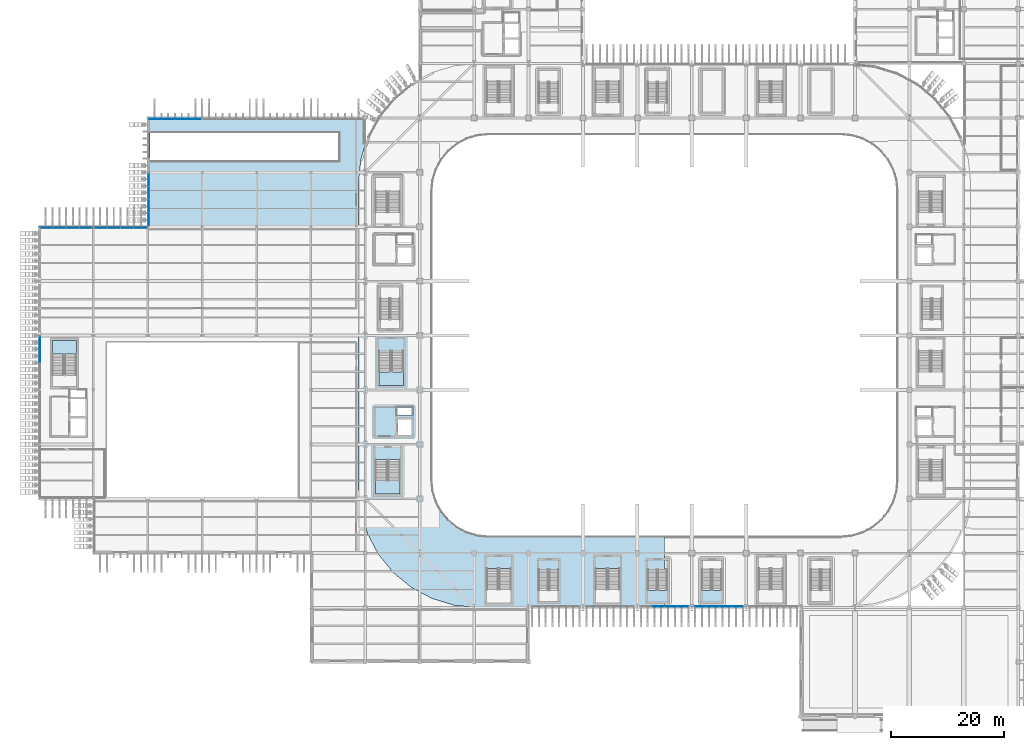
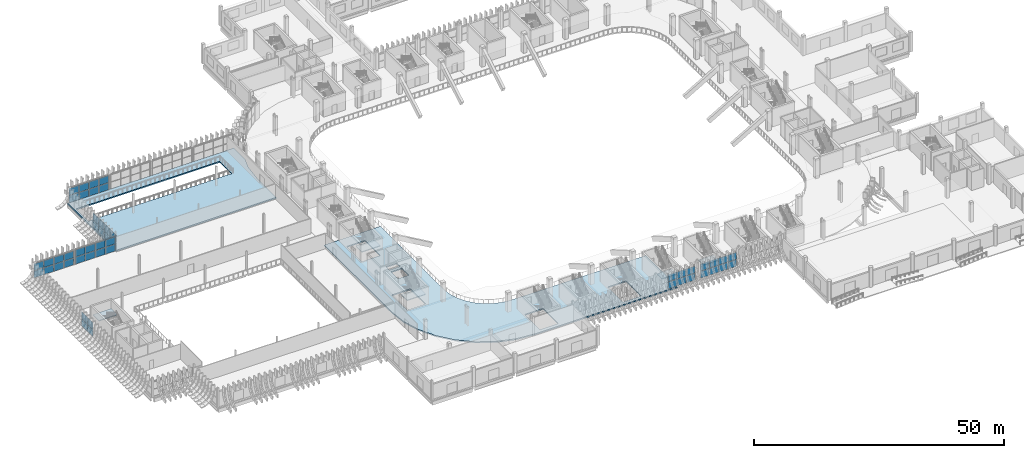
# One storey, part 41 of 100: 50 plates, 7 slabs, 12 elements without a shape of their own.
"""IFC4 building model written with IfcOpenShell, lengths in metres."""

from ifc_helpers import new_model, si_unit, direction, frame, origin, origin_2d, place, context, subcontext, project, spatial, polyline, rectangle, outline, extrude, material, layer, layer_set, type_object, element, aggregate, save


model = new_model("IFC4")

# Units and contexts
model_context = context("Model", 3, precision=1e-05, world=origin(), true_north=direction((0.0, 1.0)))
body_context = subcontext(model_context, "Body", "Model", "MODEL_VIEW")
ifc_project = project(units=[si_unit("LENGTHUNIT", "METRE"), si_unit("AREAUNIT", "SQUARE_METRE"), si_unit("VOLUMEUNIT", "CUBIC_METRE"), si_unit("PLANEANGLEUNIT", "RADIAN"), si_unit("MASSUNIT", "GRAM", prefix="KILO")], contexts=[model_context])

# Site, building, storey
site_placement = place(None, origin())
site = spatial("IfcSite", under=ifc_project, at=site_placement, CompositionType="ELEMENT")
building_placement = place(site_placement, origin())
building = spatial("IfcBuilding", under=site, at=building_placement, Name="Caelomonte Colonnade Arena", CompositionType="ELEMENT")
storey_placement = place(building_placement, origin())
storey = spatial("IfcBuildingStorey", under=building, at=storey_placement, Name="L00", CompositionType="ELEMENT", Elevation=0.0)

# Curtain wall, plates
ifc_material_1 = material(Name="Bronze anodised aluminium and low-E glazing", Category="aluminium")
ifc_layer_1 = layer(ifc_material_1, 0.179931640625)
ifc_layer_set_1 = layer_set([ifc_layer_1], Name="Bronze anodised aluminium and low-E glazing")
curtain_wall_type_1 = type_object("IfcCurtainWallType", Name="ENV-CW-CW-L00-96-36", PredefinedType="USERDEFINED", material=ifc_layer_set_1)
curtain_wall_1_placement = place(storey_placement, origin())
curtain_wall_1 = element("IfcCurtainWall", 1, at=curtain_wall_1_placement, inside=storey, type_object=curtain_wall_type_1, Name="L00 unitized curtain wall CW-L00-1104-0194", ObjectType="UNITIZED CURTAIN WALL", PredefinedType="USERDEFINED")
ifc_material_2 = material(Name="Solar-control bronze low-E double glazing", Category="glass")
ifc_layer_2 = layer(ifc_material_2, 0.028076171875)
ifc_layer_set_2 = layer_set([ifc_layer_2], Name="Solar-control bronze low-E double glazing")
plate_type = type_object("IfcPlateType", Name="ENV-CW-PAN28", PredefinedType="CURTAIN_PANEL", material=ifc_layer_set_2)
plate_1_placement = place(storey_placement, frame((109.335205078125, 19.3798828125, 0.06982421875), z_axis=(0.0, 0.0, 1.0), x_axis=(1.0, 0.0, 0.0)))
plate_1 = element("IfcPlate", 2, at=plate_1_placement, type_object=plate_type, Name="CW-L00-96-36 panel 2.1", PredefinedType="CURTAIN_PANEL", context=body_context, shape_type="SweptSolid", body=[
    extrude(rectangle(XDim=2.0595703125, YDim=0.028076171875, at=origin_2d()), origin(), (0.0, 0.0, 1.0), 1.681396484375),
])
plate_2_placement = place(storey_placement, frame((109.335205078125, 19.3798828125, 1.82177734375), z_axis=(0.0, 0.0, 1.0), x_axis=(1.0, 0.0, 0.0)))
plate_2 = element("IfcPlate", 3, at=plate_2_placement, type_object=plate_type, Name="CW-L00-96-36 panel 2.2", PredefinedType="CURTAIN_PANEL", context=body_context, shape_type="SweptSolid", body=[
    extrude(rectangle(XDim=2.0595703125, YDim=0.028076171875, at=origin_2d()), origin(), (0.0, 0.0, 1.0), 1.681396484375),
])
plate_3_placement = place(storey_placement, frame((111.46484375, 19.3798828125, 0.06982421875), z_axis=(0.0, 0.0, 1.0), x_axis=(1.0, 0.0, 0.0)))
plate_3 = element("IfcPlate", 4, at=plate_3_placement, type_object=plate_type, Name="CW-L00-96-36 panel 3.1", PredefinedType="CURTAIN_PANEL", context=body_context, shape_type="SweptSolid", body=[
    extrude(rectangle(XDim=2.0595703125, YDim=0.028076171875, at=origin_2d()), origin(), (0.0, 0.0, 1.0), 1.681396484375),
])
plate_4_placement = place(storey_placement, frame((111.46484375, 19.3798828125, 1.82177734375), z_axis=(0.0, 0.0, 1.0), x_axis=(1.0, 0.0, 0.0)))
plate_4 = element("IfcPlate", 5, at=plate_4_placement, type_object=plate_type, Name="CW-L00-96-36 panel 3.2", PredefinedType="CURTAIN_PANEL", context=body_context, shape_type="SweptSolid", body=[
    extrude(rectangle(XDim=2.0595703125, YDim=0.028076171875, at=origin_2d()), origin(), (0.0, 0.0, 1.0), 1.681396484375),
])
plate_5_placement = place(storey_placement, frame((113.576904296875, 19.3798828125, 0.06982421875), z_axis=(0.0, 0.0, 1.0), x_axis=(1.0, 0.0, 0.0)))
plate_5 = element("IfcPlate", 6, at=plate_5_placement, type_object=plate_type, Name="CW-L00-96-36 panel 4.1", PredefinedType="CURTAIN_PANEL", context=body_context, shape_type="SweptSolid", body=[
    extrude(rectangle(XDim=2.024658203125, YDim=0.028076171875, at=origin_2d()), origin(), (0.0, 0.0, 1.0), 1.681396484375),
])
plate_6_placement = place(storey_placement, frame((113.576904296875, 19.3798828125, 1.82177734375), z_axis=(0.0, 0.0, 1.0), x_axis=(1.0, 0.0, 0.0)))
plate_6 = element("IfcPlate", 7, at=plate_6_placement, type_object=plate_type, Name="CW-L00-96-36 panel 4.2", PredefinedType="CURTAIN_PANEL", context=body_context, shape_type="SweptSolid", body=[
    extrude(rectangle(XDim=2.024658203125, YDim=0.028076171875, at=origin_2d()), origin(), (0.0, 0.0, 1.0), 1.681396484375),
])
aggregate(curtain_wall_1, [plate_1, plate_2, plate_3, plate_4, plate_5, plate_6])

curtain_wall_2_placement = place(storey_placement, origin())
curtain_wall_2 = element("IfcCurtainWall", 8, at=curtain_wall_2_placement, inside=storey, type_object=curtain_wall_type_1, Name="L00 unitized curtain wall CW-L00-1200-0194", ObjectType="UNITIZED CURTAIN WALL", PredefinedType="USERDEFINED")
plate_7_placement = place(storey_placement, frame((116.822998046875, 19.3798828125, 0.06982421875), z_axis=(0.0, 0.0, 1.0), x_axis=(1.0, 0.0, 0.0)))
plate_7 = element("IfcPlate", 9, at=plate_7_placement, type_object=plate_type, Name="CW-L00-96-36 panel 1.1", PredefinedType="CURTAIN_PANEL", context=body_context, shape_type="SweptSolid", body=[
    extrude(rectangle(XDim=2.024658203125, YDim=0.028076171875, at=origin_2d()), origin(), (0.0, 0.0, 1.0), 1.681396484375),
])
plate_8_placement = place(storey_placement, frame((116.822998046875, 19.3798828125, 1.82177734375), z_axis=(0.0, 0.0, 1.0), x_axis=(1.0, 0.0, 0.0)))
plate_8 = element("IfcPlate", 10, at=plate_8_placement, type_object=plate_type, Name="CW-L00-96-36 panel 1.2", PredefinedType="CURTAIN_PANEL", context=body_context, shape_type="SweptSolid", body=[
    extrude(rectangle(XDim=2.024658203125, YDim=0.028076171875, at=origin_2d()), origin(), (0.0, 0.0, 1.0), 1.681396484375),
])
plate_9_placement = place(storey_placement, frame((118.93505859375, 19.3798828125, 0.06982421875), z_axis=(0.0, 0.0, 1.0), x_axis=(1.0, 0.0, 0.0)))
plate_9 = element("IfcPlate", 11, at=plate_9_placement, type_object=plate_type, Name="CW-L00-96-36 panel 2.1", PredefinedType="CURTAIN_PANEL", context=body_context, shape_type="SweptSolid", body=[
    extrude(rectangle(XDim=2.0595703125, YDim=0.028076171875, at=origin_2d()), origin(), (0.0, 0.0, 1.0), 1.681396484375),
])
plate_10_placement = place(storey_placement, frame((118.93505859375, 19.3798828125, 1.82177734375), z_axis=(0.0, 0.0, 1.0), x_axis=(1.0, 0.0, 0.0)))
plate_10 = element("IfcPlate", 12, at=plate_10_placement, type_object=plate_type, Name="CW-L00-96-36 panel 2.2", PredefinedType="CURTAIN_PANEL", context=body_context, shape_type="SweptSolid", body=[
    extrude(rectangle(XDim=2.0595703125, YDim=0.028076171875, at=origin_2d()), origin(), (0.0, 0.0, 1.0), 1.681396484375),
])
plate_11_placement = place(storey_placement, frame((121.06494140625, 19.3798828125, 0.06982421875), z_axis=(0.0, 0.0, 1.0), x_axis=(1.0, 0.0, 0.0)))
plate_11 = element("IfcPlate", 13, at=plate_11_placement, type_object=plate_type, Name="CW-L00-96-36 panel 3.1", PredefinedType="CURTAIN_PANEL", context=body_context, shape_type="SweptSolid", body=[
    extrude(rectangle(XDim=2.0595703125, YDim=0.028076171875, at=origin_2d()), origin(), (0.0, 0.0, 1.0), 1.681396484375),
])
plate_12_placement = place(storey_placement, frame((121.06494140625, 19.3798828125, 1.82177734375), z_axis=(0.0, 0.0, 1.0), x_axis=(1.0, 0.0, 0.0)))
plate_12 = element("IfcPlate", 14, at=plate_12_placement, type_object=plate_type, Name="CW-L00-96-36 panel 3.2", PredefinedType="CURTAIN_PANEL", context=body_context, shape_type="SweptSolid", body=[
    extrude(rectangle(XDim=2.0595703125, YDim=0.028076171875, at=origin_2d()), origin(), (0.0, 0.0, 1.0), 1.681396484375),
])
plate_13_placement = place(storey_placement, frame((123.177001953125, 19.3798828125, 0.06982421875), z_axis=(0.0, 0.0, 1.0), x_axis=(1.0, 0.0, 0.0)))
plate_13 = element("IfcPlate", 15, at=plate_13_placement, type_object=plate_type, Name="CW-L00-96-36 panel 4.1", PredefinedType="CURTAIN_PANEL", context=body_context, shape_type="SweptSolid", body=[
    extrude(rectangle(XDim=2.024658203125, YDim=0.028076171875, at=origin_2d()), origin(), (0.0, 0.0, 1.0), 1.681396484375),
])
plate_14_placement = place(storey_placement, frame((123.177001953125, 19.3798828125, 1.82177734375), z_axis=(0.0, 0.0, 1.0), x_axis=(1.0, 0.0, 0.0)))
plate_14 = element("IfcPlate", 16, at=plate_14_placement, type_object=plate_type, Name="CW-L00-96-36 panel 4.2", PredefinedType="CURTAIN_PANEL", context=body_context, shape_type="SweptSolid", body=[
    extrude(rectangle(XDim=2.024658203125, YDim=0.028076171875, at=origin_2d()), origin(), (0.0, 0.0, 1.0), 1.681396484375),
])
aggregate(curtain_wall_2, [plate_7, plate_8, plate_9, plate_10, plate_11, plate_12, plate_13, plate_14])

ifc_layer_3 = layer(ifc_material_1, 0.179931640625)
ifc_layer_set_3 = layer_set([ifc_layer_3], Name="Bronze anodised aluminium and low-E glazing")
curtain_wall_type_2 = type_object("IfcCurtainWallType", Name="ENV-CW-CW-L00-96-37", PredefinedType="USERDEFINED", material=ifc_layer_set_3)
curtain_wall_3_placement = place(storey_placement, origin())
curtain_wall_3 = element("IfcCurtainWall", 17, at=curtain_wall_3_placement, inside=storey, type_object=curtain_wall_type_2, Name="L00 unitized curtain wall CW-L00-0240-1054", ObjectType="UNITIZED CURTAIN WALL", PredefinedType="USERDEFINED")
plate_15_placement = place(storey_placement, frame((27.430419921875, 105.419921875, 0.06494140625), z_axis=(0.0, 0.0, 1.0), x_axis=(-1.0, 0.0, 0.0)))
plate_15 = element("IfcPlate", 18, at=plate_15_placement, type_object=plate_type, Name="CW-L00-96-37 panel 1.1", PredefinedType="CURTAIN_PANEL", context=body_context, shape_type="SweptSolid", body=[
    extrude(rectangle(XDim=2.2001953125, YDim=0.028076171875, at=origin_2d()), origin(), (0.0, 0.0, 1.0), 1.734619140625),
])
plate_16_placement = place(storey_placement, frame((27.430419921875, 105.419921875, 1.86474609375), z_axis=(0.0, 0.0, 1.0), x_axis=(-1.0, 0.0, 0.0)))
plate_16 = element("IfcPlate", 19, at=plate_16_placement, type_object=plate_type, Name="CW-L00-96-37 panel 1.2", PredefinedType="CURTAIN_PANEL", context=body_context, shape_type="SweptSolid", body=[
    extrude(rectangle(XDim=2.2001953125, YDim=0.028076171875, at=origin_2d()), origin(), (0.0, 0.0, 1.0), 1.734619140625),
])
plate_17_placement = place(storey_placement, frame((25.14892578125, 105.419921875, 0.06494140625), z_axis=(0.0, 0.0, 1.0), x_axis=(-1.0, 0.0, 0.0)))
plate_17 = element("IfcPlate", 20, at=plate_17_placement, type_object=plate_type, Name="CW-L00-96-37 panel 2.1", PredefinedType="CURTAIN_PANEL", context=body_context, shape_type="SweptSolid", body=[
    extrude(rectangle(XDim=2.23291015625, YDim=0.028076171875, at=origin_2d()), origin(), (0.0, 0.0, 1.0), 1.734619140625),
])
plate_18_placement = place(storey_placement, frame((25.14892578125, 105.419921875, 1.86474609375), z_axis=(0.0, 0.0, 1.0), x_axis=(-1.0, 0.0, 0.0)))
plate_18 = element("IfcPlate", 21, at=plate_18_placement, type_object=plate_type, Name="CW-L00-96-37 panel 2.2", PredefinedType="CURTAIN_PANEL", context=body_context, shape_type="SweptSolid", body=[
    extrude(rectangle(XDim=2.23291015625, YDim=0.028076171875, at=origin_2d()), origin(), (0.0, 0.0, 1.0), 1.734619140625),
])
plate_19_placement = place(storey_placement, frame((22.85107421875, 105.419921875, 0.06494140625), z_axis=(0.0, 0.0, 1.0), x_axis=(-1.0, 0.0, 0.0)))
plate_19 = element("IfcPlate", 22, at=plate_19_placement, type_object=plate_type, Name="CW-L00-96-37 panel 3.1", PredefinedType="CURTAIN_PANEL", context=body_context, shape_type="SweptSolid", body=[
    extrude(rectangle(XDim=2.23291015625, YDim=0.028076171875, at=origin_2d()), origin(), (0.0, 0.0, 1.0), 1.734619140625),
])
plate_20_placement = place(storey_placement, frame((22.85107421875, 105.419921875, 1.86474609375), z_axis=(0.0, 0.0, 1.0), x_axis=(-1.0, 0.0, 0.0)))
plate_20 = element("IfcPlate", 23, at=plate_20_placement, type_object=plate_type, Name="CW-L00-96-37 panel 3.2", PredefinedType="CURTAIN_PANEL", context=body_context, shape_type="SweptSolid", body=[
    extrude(rectangle(XDim=2.23291015625, YDim=0.028076171875, at=origin_2d()), origin(), (0.0, 0.0, 1.0), 1.734619140625),
])
plate_21_placement = place(storey_placement, frame((20.569580078125, 105.419921875, 0.06494140625), z_axis=(0.0, 0.0, 1.0), x_axis=(-1.0, 0.0, 0.0)))
plate_21 = element("IfcPlate", 24, at=plate_21_placement, type_object=plate_type, Name="CW-L00-96-37 panel 4.1", PredefinedType="CURTAIN_PANEL", context=body_context, shape_type="SweptSolid", body=[
    extrude(rectangle(XDim=2.2001953125, YDim=0.028076171875, at=origin_2d()), origin(), (0.0, 0.0, 1.0), 1.734619140625),
])
plate_22_placement = place(storey_placement, frame((20.569580078125, 105.419921875, 1.86474609375), z_axis=(0.0, 0.0, 1.0), x_axis=(-1.0, 0.0, 0.0)))
plate_22 = element("IfcPlate", 25, at=plate_22_placement, type_object=plate_type, Name="CW-L00-96-37 panel 4.2", PredefinedType="CURTAIN_PANEL", context=body_context, shape_type="SweptSolid", body=[
    extrude(rectangle(XDim=2.2001953125, YDim=0.028076171875, at=origin_2d()), origin(), (0.0, 0.0, 1.0), 1.734619140625),
])
aggregate(curtain_wall_3, [plate_15, plate_16, plate_17, plate_18, plate_19, plate_20, plate_21, plate_22])

curtain_wall_4_placement = place(storey_placement, origin())
curtain_wall_4 = element("IfcCurtainWall", 26, at=curtain_wall_4_placement, inside=storey, type_object=curtain_wall_type_2, Name="L00 unitized curtain wall CW-L00-0194-0912", ObjectType="UNITIZED CURTAIN WALL", PredefinedType="USERDEFINED")
plate_23_placement = place(storey_placement, frame((19.3798828125, 94.623291015625, 0.06494140625), z_axis=(0.0, 0.0, 1.0), x_axis=(0.0, -1.0, 0.0)))
plate_23 = element("IfcPlate", 27, at=plate_23_placement, type_object=plate_type, Name="CW-L00-96-37 panel 1.1", PredefinedType="CURTAIN_PANEL", context=body_context, shape_type="SweptSolid", body=[
    extrude(rectangle(XDim=2.214599609375, YDim=0.028076171875, at=origin_2d()), origin(), (0.0, 0.0, 1.0), 1.734619140625),
])
plate_24_placement = place(storey_placement, frame((19.3798828125, 94.623291015625, 1.86474609375), z_axis=(0.0, 0.0, 1.0), x_axis=(0.0, -1.0, 0.0)))
plate_24 = element("IfcPlate", 28, at=plate_24_placement, type_object=plate_type, Name="CW-L00-96-37 panel 1.2", PredefinedType="CURTAIN_PANEL", context=body_context, shape_type="SweptSolid", body=[
    extrude(rectangle(XDim=2.214599609375, YDim=0.028076171875, at=origin_2d()), origin(), (0.0, 0.0, 1.0), 1.734619140625),
])
plate_25_placement = place(storey_placement, frame((19.3798828125, 92.327392578125, 0.06494140625), z_axis=(0.0, 0.0, 1.0), x_axis=(0.0, -1.0, 0.0)))
plate_25 = element("IfcPlate", 29, at=plate_25_placement, type_object=plate_type, Name="CW-L00-96-37 panel 2.1", PredefinedType="CURTAIN_PANEL", context=body_context, shape_type="SweptSolid", body=[
    extrude(rectangle(XDim=2.2470703125, YDim=0.028076171875, at=origin_2d()), origin(), (0.0, 0.0, 1.0), 1.734619140625),
])
plate_26_placement = place(storey_placement, frame((19.3798828125, 92.327392578125, 1.86474609375), z_axis=(0.0, 0.0, 1.0), x_axis=(0.0, -1.0, 0.0)))
plate_26 = element("IfcPlate", 30, at=plate_26_placement, type_object=plate_type, Name="CW-L00-96-37 panel 2.2", PredefinedType="CURTAIN_PANEL", context=body_context, shape_type="SweptSolid", body=[
    extrude(rectangle(XDim=2.2470703125, YDim=0.028076171875, at=origin_2d()), origin(), (0.0, 0.0, 1.0), 1.734619140625),
])
plate_27_placement = place(storey_placement, frame((19.3798828125, 90.01513671875, 0.06494140625), z_axis=(0.0, 0.0, 1.0), x_axis=(0.0, -1.0, 0.0)))
plate_27 = element("IfcPlate", 31, at=plate_27_placement, type_object=plate_type, Name="CW-L00-96-37 panel 3.1", PredefinedType="CURTAIN_PANEL", context=body_context, shape_type="SweptSolid", body=[
    extrude(rectangle(XDim=2.2470703125, YDim=0.028076171875, at=origin_2d()), origin(), (0.0, 0.0, 1.0), 1.734619140625),
])
plate_28_placement = place(storey_placement, frame((19.3798828125, 90.01513671875, 1.86474609375), z_axis=(0.0, 0.0, 1.0), x_axis=(0.0, -1.0, 0.0)))
plate_28 = element("IfcPlate", 32, at=plate_28_placement, type_object=plate_type, Name="CW-L00-96-37 panel 3.2", PredefinedType="CURTAIN_PANEL", context=body_context, shape_type="SweptSolid", body=[
    extrude(rectangle(XDim=2.2470703125, YDim=0.028076171875, at=origin_2d()), origin(), (0.0, 0.0, 1.0), 1.734619140625),
])
plate_29_placement = place(storey_placement, frame((19.3798828125, 87.71923828125, 0.06494140625), z_axis=(0.0, 0.0, 1.0), x_axis=(0.0, -1.0, 0.0)))
plate_29 = element("IfcPlate", 33, at=plate_29_placement, type_object=plate_type, Name="CW-L00-96-37 panel 4.1", PredefinedType="CURTAIN_PANEL", context=body_context, shape_type="SweptSolid", body=[
    extrude(rectangle(XDim=2.214599609375, YDim=0.028076171875, at=origin_2d()), origin(), (0.0, 0.0, 1.0), 1.734619140625),
])
plate_30_placement = place(storey_placement, frame((19.3798828125, 87.71923828125, 1.86474609375), z_axis=(0.0, 0.0, 1.0), x_axis=(0.0, -1.0, 0.0)))
plate_30 = element("IfcPlate", 34, at=plate_30_placement, type_object=plate_type, Name="CW-L00-96-37 panel 4.2", PredefinedType="CURTAIN_PANEL", context=body_context, shape_type="SweptSolid", body=[
    extrude(rectangle(XDim=2.214599609375, YDim=0.028076171875, at=origin_2d()), origin(), (0.0, 0.0, 1.0), 1.734619140625),
])
aggregate(curtain_wall_4, [plate_23, plate_24, plate_25, plate_26, plate_27, plate_28, plate_29, plate_30])

curtain_wall_5_placement = place(storey_placement, origin())
curtain_wall_5 = element("IfcCurtainWall", 35, at=curtain_wall_5_placement, inside=storey, type_object=curtain_wall_type_2, Name="L00 unitized curtain wall CW-L00-0144-0862", ObjectType="UNITIZED CURTAIN WALL", PredefinedType="USERDEFINED")
plate_31_placement = place(storey_placement, frame((17.87353515625, 86.219970703125, 0.06494140625), z_axis=(0.0, 0.0, 1.0), x_axis=(-1.0, 0.0, 0.0)))
plate_31 = element("IfcPlate", 36, at=plate_31_placement, type_object=plate_type, Name="CW-L00-96-37 panel 1.1", PredefinedType="CURTAIN_PANEL", context=body_context, shape_type="SweptSolid", body=[
    extrude(rectangle(XDim=2.22900390625, YDim=0.028076171875, at=origin_2d()), origin(), (0.0, 0.0, 1.0), 1.734619140625),
])
plate_32_placement = place(storey_placement, frame((17.87353515625, 86.219970703125, 1.86474609375), z_axis=(0.0, 0.0, 1.0), x_axis=(-1.0, 0.0, 0.0)))
plate_32 = element("IfcPlate", 37, at=plate_32_placement, type_object=plate_type, Name="CW-L00-96-37 panel 1.2", PredefinedType="CURTAIN_PANEL", context=body_context, shape_type="SweptSolid", body=[
    extrude(rectangle(XDim=2.22900390625, YDim=0.028076171875, at=origin_2d()), origin(), (0.0, 0.0, 1.0), 1.734619140625),
])
plate_33_placement = place(storey_placement, frame((15.563232421875, 86.219970703125, 0.06494140625), z_axis=(0.0, 0.0, 1.0), x_axis=(-1.0, 0.0, 0.0)))
plate_33 = element("IfcPlate", 38, at=plate_33_placement, type_object=plate_type, Name="CW-L00-96-37 panel 2.1", PredefinedType="CURTAIN_PANEL", context=body_context, shape_type="SweptSolid", body=[
    extrude(rectangle(XDim=2.261474609375, YDim=0.028076171875, at=origin_2d()), origin(), (0.0, 0.0, 1.0), 1.734619140625),
])
plate_34_placement = place(storey_placement, frame((15.563232421875, 86.219970703125, 1.86474609375), z_axis=(0.0, 0.0, 1.0), x_axis=(-1.0, 0.0, 0.0)))
plate_34 = element("IfcPlate", 39, at=plate_34_placement, type_object=plate_type, Name="CW-L00-96-37 panel 2.2", PredefinedType="CURTAIN_PANEL", context=body_context, shape_type="SweptSolid", body=[
    extrude(rectangle(XDim=2.261474609375, YDim=0.028076171875, at=origin_2d()), origin(), (0.0, 0.0, 1.0), 1.734619140625),
])
plate_35_placement = place(storey_placement, frame((13.23681640625, 86.219970703125, 0.06494140625), z_axis=(0.0, 0.0, 1.0), x_axis=(-1.0, 0.0, 0.0)))
plate_35 = element("IfcPlate", 40, at=plate_35_placement, type_object=plate_type, Name="CW-L00-96-37 panel 3.1", PredefinedType="CURTAIN_PANEL", context=body_context, shape_type="SweptSolid", body=[
    extrude(rectangle(XDim=2.261474609375, YDim=0.028076171875, at=origin_2d()), origin(), (0.0, 0.0, 1.0), 1.734619140625),
])
plate_36_placement = place(storey_placement, frame((13.23681640625, 86.219970703125, 1.86474609375), z_axis=(0.0, 0.0, 1.0), x_axis=(-1.0, 0.0, 0.0)))
plate_36 = element("IfcPlate", 41, at=plate_36_placement, type_object=plate_type, Name="CW-L00-96-37 panel 3.2", PredefinedType="CURTAIN_PANEL", context=body_context, shape_type="SweptSolid", body=[
    extrude(rectangle(XDim=2.261474609375, YDim=0.028076171875, at=origin_2d()), origin(), (0.0, 0.0, 1.0), 1.734619140625),
])
plate_37_placement = place(storey_placement, frame((10.926513671875, 86.219970703125, 0.06494140625), z_axis=(0.0, 0.0, 1.0), x_axis=(-1.0, 0.0, 0.0)))
plate_37 = element("IfcPlate", 42, at=plate_37_placement, type_object=plate_type, Name="CW-L00-96-37 panel 4.1", PredefinedType="CURTAIN_PANEL", context=body_context, shape_type="SweptSolid", body=[
    extrude(rectangle(XDim=2.22900390625, YDim=0.028076171875, at=origin_2d()), origin(), (0.0, 0.0, 1.0), 1.734619140625),
])
plate_38_placement = place(storey_placement, frame((10.926513671875, 86.219970703125, 1.86474609375), z_axis=(0.0, 0.0, 1.0), x_axis=(-1.0, 0.0, 0.0)))
plate_38 = element("IfcPlate", 43, at=plate_38_placement, type_object=plate_type, Name="CW-L00-96-37 panel 4.2", PredefinedType="CURTAIN_PANEL", context=body_context, shape_type="SweptSolid", body=[
    extrude(rectangle(XDim=2.22900390625, YDim=0.028076171875, at=origin_2d()), origin(), (0.0, 0.0, 1.0), 1.734619140625),
])
aggregate(curtain_wall_5, [plate_31, plate_32, plate_33, plate_34, plate_35, plate_36, plate_37, plate_38])

curtain_wall_6_placement = place(storey_placement, origin())
curtain_wall_6 = element("IfcCurtainWall", 44, at=curtain_wall_6_placement, inside=storey, type_object=curtain_wall_type_1, Name="L00 unitized curtain wall CW-L00-0048-0862", ObjectType="UNITIZED CURTAIN WALL", PredefinedType="USERDEFINED")
plate_39_placement = place(storey_placement, frame((8.2734375, 86.219970703125, 0.06494140625), z_axis=(0.0, 0.0, 1.0), x_axis=(-1.0, 0.0, 0.0)))
plate_39 = element("IfcPlate", 45, at=plate_39_placement, type_object=plate_type, Name="CW-L00-96-36 panel 1.1", PredefinedType="CURTAIN_PANEL", context=body_context, shape_type="SweptSolid", body=[
    extrude(rectangle(XDim=2.22900390625, YDim=0.028076171875, at=origin_2d()), origin(), (0.0, 0.0, 1.0), 1.68896484375),
])
plate_40_placement = place(storey_placement, frame((8.2734375, 86.219970703125, 1.819091796875), z_axis=(0.0, 0.0, 1.0), x_axis=(-1.0, 0.0, 0.0)))
plate_40 = element("IfcPlate", 46, at=plate_40_placement, type_object=plate_type, Name="CW-L00-96-36 panel 1.2", PredefinedType="CURTAIN_PANEL", context=body_context, shape_type="SweptSolid", body=[
    extrude(rectangle(XDim=2.22900390625, YDim=0.028076171875, at=origin_2d()), origin(), (0.0, 0.0, 1.0), 1.68896484375),
])
plate_41_placement = place(storey_placement, frame((5.963134765625, 86.219970703125, 0.06494140625), z_axis=(0.0, 0.0, 1.0), x_axis=(-1.0, 0.0, 0.0)))
plate_41 = element("IfcPlate", 47, at=plate_41_placement, type_object=plate_type, Name="CW-L00-96-36 panel 2.1", PredefinedType="CURTAIN_PANEL", context=body_context, shape_type="SweptSolid", body=[
    extrude(rectangle(XDim=2.261474609375, YDim=0.028076171875, at=origin_2d()), origin(), (0.0, 0.0, 1.0), 1.68896484375),
])
plate_42_placement = place(storey_placement, frame((5.963134765625, 86.219970703125, 1.819091796875), z_axis=(0.0, 0.0, 1.0), x_axis=(-1.0, 0.0, 0.0)))
plate_42 = element("IfcPlate", 48, at=plate_42_placement, type_object=plate_type, Name="CW-L00-96-36 panel 2.2", PredefinedType="CURTAIN_PANEL", context=body_context, shape_type="SweptSolid", body=[
    extrude(rectangle(XDim=2.261474609375, YDim=0.028076171875, at=origin_2d()), origin(), (0.0, 0.0, 1.0), 1.68896484375),
])
plate_43_placement = place(storey_placement, frame((3.63671875, 86.219970703125, 0.06494140625), z_axis=(0.0, 0.0, 1.0), x_axis=(-1.0, 0.0, 0.0)))
plate_43 = element("IfcPlate", 49, at=plate_43_placement, type_object=plate_type, Name="CW-L00-96-36 panel 3.1", PredefinedType="CURTAIN_PANEL", context=body_context, shape_type="SweptSolid", body=[
    extrude(rectangle(XDim=2.261474609375, YDim=0.028076171875, at=origin_2d()), origin(), (0.0, 0.0, 1.0), 1.68896484375),
])
plate_44_placement = place(storey_placement, frame((3.63671875, 86.219970703125, 1.819091796875), z_axis=(0.0, 0.0, 1.0), x_axis=(-1.0, 0.0, 0.0)))
plate_44 = element("IfcPlate", 50, at=plate_44_placement, type_object=plate_type, Name="CW-L00-96-36 panel 3.2", PredefinedType="CURTAIN_PANEL", context=body_context, shape_type="SweptSolid", body=[
    extrude(rectangle(XDim=2.261474609375, YDim=0.028076171875, at=origin_2d()), origin(), (0.0, 0.0, 1.0), 1.68896484375),
])
plate_45_placement = place(storey_placement, frame((1.326416015625, 86.219970703125, 0.06494140625), z_axis=(0.0, 0.0, 1.0), x_axis=(-1.0, 0.0, 0.0)))
plate_45 = element("IfcPlate", 51, at=plate_45_placement, type_object=plate_type, Name="CW-L00-96-36 panel 4.1", PredefinedType="CURTAIN_PANEL", context=body_context, shape_type="SweptSolid", body=[
    extrude(rectangle(XDim=2.22900390625, YDim=0.028076171875, at=origin_2d()), origin(), (0.0, 0.0, 1.0), 1.68896484375),
])
plate_46_placement = place(storey_placement, frame((1.326416015625, 86.219970703125, 1.819091796875), z_axis=(0.0, 0.0, 1.0), x_axis=(-1.0, 0.0, 0.0)))
plate_46 = element("IfcPlate", 52, at=plate_46_placement, type_object=plate_type, Name="CW-L00-96-36 panel 4.2", PredefinedType="CURTAIN_PANEL", context=body_context, shape_type="SweptSolid", body=[
    extrude(rectangle(XDim=2.22900390625, YDim=0.028076171875, at=origin_2d()), origin(), (0.0, 0.0, 1.0), 1.68896484375),
])
aggregate(curtain_wall_6, [plate_39, plate_40, plate_41, plate_42, plate_43, plate_44, plate_45, plate_46])

curtain_wall_7_placement = place(storey_placement, origin())
curtain_wall_7 = element("IfcCurtainWall", 53, at=curtain_wall_7_placement, inside=storey, type_object=curtain_wall_type_1, Name="L00 unitized curtain wall CW-L00-0002-0624", ObjectType="UNITIZED CURTAIN WALL", PredefinedType="USERDEFINED")
plate_47_placement = place(storey_placement, frame((0.179931640625, 65.8583984375, 0.06494140625), z_axis=(0.0, 0.0, 1.0), x_axis=(0.0, -1.0, 0.0)))
plate_47 = element("IfcPlate", 54, at=plate_47_placement, type_object=plate_type, Name="CW-L00-96-36 panel 1.1", PredefinedType="CURTAIN_PANEL", context=body_context, shape_type="SweptSolid", body=[
    extrude(rectangle(XDim=2.208251953125, YDim=0.028076171875, at=origin_2d()), origin(), (0.0, 0.0, 1.0), 1.68896484375),
])
plate_48_placement = place(storey_placement, frame((0.179931640625, 65.8583984375, 1.819091796875), z_axis=(0.0, 0.0, 1.0), x_axis=(0.0, -1.0, 0.0)))
plate_48 = element("IfcPlate", 55, at=plate_48_placement, type_object=plate_type, Name="CW-L00-96-36 panel 1.2", PredefinedType="CURTAIN_PANEL", context=body_context, shape_type="SweptSolid", body=[
    extrude(rectangle(XDim=2.208251953125, YDim=0.028076171875, at=origin_2d()), origin(), (0.0, 0.0, 1.0), 1.68896484375),
])
plate_49_placement = place(storey_placement, frame((0.179931640625, 63.56884765625, 0.06494140625), z_axis=(0.0, 0.0, 1.0), x_axis=(0.0, -1.0, 0.0)))
plate_49 = element("IfcPlate", 56, at=plate_49_placement, type_object=plate_type, Name="CW-L00-96-36 panel 2.1", PredefinedType="CURTAIN_PANEL", context=body_context, shape_type="SweptSolid", body=[
    extrude(rectangle(XDim=2.24072265625, YDim=0.028076171875, at=origin_2d()), origin(), (0.0, 0.0, 1.0), 1.68896484375),
])
plate_50_placement = place(storey_placement, frame((0.179931640625, 63.56884765625, 1.819091796875), z_axis=(0.0, 0.0, 1.0), x_axis=(0.0, -1.0, 0.0)))
plate_50 = element("IfcPlate", 57, at=plate_50_placement, type_object=plate_type, Name="CW-L00-96-36 panel 2.2", PredefinedType="CURTAIN_PANEL", context=body_context, shape_type="SweptSolid", body=[
    extrude(rectangle(XDim=2.24072265625, YDim=0.028076171875, at=origin_2d()), origin(), (0.0, 0.0, 1.0), 1.68896484375),
])
aggregate(curtain_wall_7, [plate_47, plate_48, plate_49, plate_50])

# Stair, slab
ifc_material_3 = material(Name="Concrete C40/50", Category="concrete")
stair_type_1 = type_object("IfcStairType", Name="INT-ST-WING48", PredefinedType="HALF_TURN_STAIR", material=ifc_material_3)
stair_1_placement = place(storey_placement, origin())
stair_1 = element("IfcStair", 58, at=stair_1_placement, inside=storey, type_object=stair_type_1, Name="L00 Core C1 exit stair ST-01", PredefinedType="HALF_TURN_STAIR")
ifc_layer_4 = layer(ifc_material_3, 0.199951171875)
ifc_layer_set_4 = layer_set([ifc_layer_4], Name="Concrete C40/50")
slab_type_1 = type_object("IfcSlabType", Name="INT-SL-LAND20", PredefinedType="LANDING", material=ifc_layer_set_4)
slab_1_placement = place(storey_placement, frame((0.0, 0.0, 2.199951171875)))
slab_1 = element("IfcSlab", 59, at=slab_1_placement, type_object=slab_type_1, Name="ST-01 landing 1", PredefinedType="LANDING", context=body_context, shape_type="SweptSolid", body=[
    extrude(outline(polyline([(59.39990234375, 41.594970703125), (59.39990234375, 39.199951171875), (63.699951171875, 39.199951171875), (63.699951171875, 41.594970703125), (59.39990234375, 41.594970703125)])), origin(), (0.0, 0.0, 1.0), 0.199951171875),
])
aggregate(stair_1, [slab_1])

stair_2_placement = place(storey_placement, origin())
stair_2 = element("IfcStair", 60, at=stair_2_placement, inside=storey, type_object=stair_type_1, Name="L00 Core C8 exit stair ST-08", PredefinedType="HALF_TURN_STAIR")
slab_2_placement = place(storey_placement, frame((0.0, 0.0, 2.199951171875)))
slab_2 = element("IfcSlab", 61, at=slab_2_placement, type_object=slab_type_1, Name="ST-08 landing 1", PredefinedType="LANDING", context=body_context, shape_type="SweptSolid", body=[
    extrude(outline(polyline([(6.60009765625, 63.905029296875), (6.60009765625, 66.35009765625), (2.39990234375, 66.35009765625), (2.39990234375, 63.905029296875), (6.60009765625, 63.905029296875)])), origin(), (0.0, 0.0, 1.0), 0.199951171875),
])
aggregate(stair_2, [slab_2])

stair_type_2 = type_object("IfcStairType", Name="INT-ST-CORE48", PredefinedType="HALF_TURN_STAIR", material=ifc_material_3)
stair_3_placement = place(storey_placement, origin())
stair_3 = element("IfcStair", 62, at=stair_3_placement, inside=storey, type_object=stair_type_2, Name="L00 Protected exit stair ST-09", PredefinedType="HALF_TURN_STAIR")
slab_3_placement = place(storey_placement, frame((0.0, 0.0, 2.199951171875)))
slab_3 = element("IfcSlab", 63, at=slab_3_placement, type_object=slab_type_1, Name="ST-09 landing 1", PredefinedType="LANDING", context=body_context, shape_type="SweptSolid", body=[
    extrude(outline(polyline([(60.0, 60.794921875), (60.0, 58.39990234375), (64.300048828125, 58.39990234375), (64.300048828125, 60.794921875), (60.0, 60.794921875)])), origin(), (0.0, 0.0, 1.0), 0.199951171875),
])
aggregate(stair_3, [slab_3])

ifc_material_4 = material(Name="Precast concrete C40/50", Category="concrete")
stair_type_3 = type_object("IfcStairType", Name="INT-ST-VOML", PredefinedType="HALF_TURN_STAIR", material=ifc_material_4)
stair_4_placement = place(storey_placement, origin())
stair_4 = element("IfcStair", 64, at=stair_4_placement, inside=storey, type_object=stair_type_3, Name="L00 Vomitory VOM-02 aisle stair ST-V02", PredefinedType="HALF_TURN_STAIR")
slab_4_placement = place(storey_placement, frame((0.0, 0.0, 2.199951171875)))
slab_4 = element("IfcSlab", 65, at=slab_4_placement, type_object=slab_type_1, Name="ST-V02 landing 1", PredefinedType="LANDING", context=body_context, shape_type="SweptSolid", body=[
    extrude(outline(polyline([(107.39990234375, 22.2451171875), (107.39990234375, 20.199951171875), (110.89990234375, 20.199951171875), (110.89990234375, 22.2451171875), (107.39990234375, 22.2451171875)])), origin(), (0.0, 0.0, 1.0), 0.199951171875),
])
aggregate(stair_4, [slab_4])

stair_5_placement = place(storey_placement, origin())
stair_5 = element("IfcStair", 66, at=stair_5_placement, inside=storey, type_object=stair_type_3, Name="L00 Vomitory VOM-03 aisle stair ST-V03", PredefinedType="HALF_TURN_STAIR")
slab_5_placement = place(storey_placement, frame((0.0, 0.0, 2.199951171875)))
slab_5 = element("IfcSlab", 67, at=slab_5_placement, type_object=slab_type_1, Name="ST-V03 landing 1", PredefinedType="LANDING", context=body_context, shape_type="SweptSolid", body=[
    extrude(outline(polyline([(117.0, 22.2451171875), (117.0, 20.199951171875), (120.5, 20.199951171875), (120.5, 22.2451171875), (117.0, 22.2451171875)])), origin(), (0.0, 0.0, 1.0), 0.199951171875),
])
aggregate(stair_5, [slab_5])

# Slabs
ifc_layer_5 = layer(ifc_material_3, 0.300048828125)
ifc_layer_set_5 = layer_set([ifc_layer_5], Name="Concrete C40/50")
slab_type_2 = type_object("IfcSlabType", Name="STR-SL-FLR30", PredefinedType="FLOOR", material=ifc_layer_set_5)
slab_6_placement = place(storey_placement, frame((0.0, 0.0, -0.300048828125)))
element("IfcSlab", 68, at=slab_6_placement, inside=storey, type_object=slab_type_2, Name="L00 structural floor slab SL-L00-V1-SW", PredefinedType="FLOOR", context=body_context, shape_type="SweptSolid", body=[
    extrude(outline(polyline([(73.302978515625, 19.603515625), (77.39990234375, 19.199951171875), (110.39990234375, 19.199951171875), (110.39990234375, 31.800048828125), (79.39990234375, 31.800048828125), (77.44921875, 31.9921875), (75.5732421875, 32.561279296875), (73.84423828125, 33.4853515625), (72.328857421875, 34.72900390625), (71.085205078125, 36.244384765625), (70.1611328125, 37.97314453125), (69.592041015625, 39.84912109375), (69.39990234375, 41.800048828125), (69.39990234375, 67.199951171875), (56.39990234375, 67.199951171875), (56.39990234375, 40.199951171875), (56.803466796875, 36.10302734375), (57.99853515625, 32.16357421875), (59.939208984375, 28.532958984375), (62.55078125, 25.350830078125), (65.73291015625, 22.739013671875), (69.363525390625, 20.798583984375), (73.302978515625, 19.603515625)]), holes=[polyline([(83.300048828125, 26.10009765625), (83.300048828125, 20.0), (79.0, 20.0), (79.0, 26.10009765625), (83.300048828125, 26.10009765625)]), polyline([(63.699951171875, 45.300048828125), (63.699951171875, 39.199951171875), (59.39990234375, 39.199951171875), (59.39990234375, 45.300048828125), (63.699951171875, 45.300048828125)]), polyline([(63.280029296875, 49.580078125), (63.280029296875, 52.419921875), (65.820068359375, 52.419921875), (65.820068359375, 49.580078125), (63.280029296875, 49.580078125)]), polyline([(63.280029296875, 53.179931640625), (63.280029296875, 54.419921875), (65.820068359375, 54.419921875), (65.820068359375, 53.179931640625), (63.280029296875, 53.179931640625)]), polyline([(64.300048828125, 58.39990234375), (60.0, 58.39990234375), (60.0, 64.5), (64.300048828125, 64.5), (64.300048828125, 58.39990234375)]), polyline([(102.5, 26.10009765625), (102.5, 20.0), (98.199951171875, 20.0), (98.199951171875, 26.10009765625), (102.5, 26.10009765625)])]), origin(), (0.0, 0.0, 1.0), 0.300048828125),
])
slab_7_placement = place(storey_placement, frame((0.0, 0.0, -0.300048828125)))
element("IfcSlab", 69, at=slab_7_placement, inside=storey, type_object=slab_type_2, Name="L00 structural floor slab SL-L00-V5-DOCK", PredefinedType="FLOOR", context=body_context, shape_type="SweptSolid", body=[
    extrude(outline(polyline([(19.199951171875, 86.39990234375), (56.39990234375, 86.39990234375), (56.39990234375, 94.199951171875), (56.803466796875, 98.296875), (57.60009765625, 100.922607421875), (57.60009765625, 105.60009765625), (19.199951171875, 105.60009765625), (19.199951171875, 86.39990234375)]), holes=[polyline([(19.6201171875, 98.050048828125), (19.6201171875, 102.949951171875), (52.85009765625, 102.949951171875), (52.85009765625, 98.050048828125), (19.6201171875, 98.050048828125)])]), origin(), (0.0, 0.0, 1.0), 0.300048828125),
])

save(model, "model.ifc")
